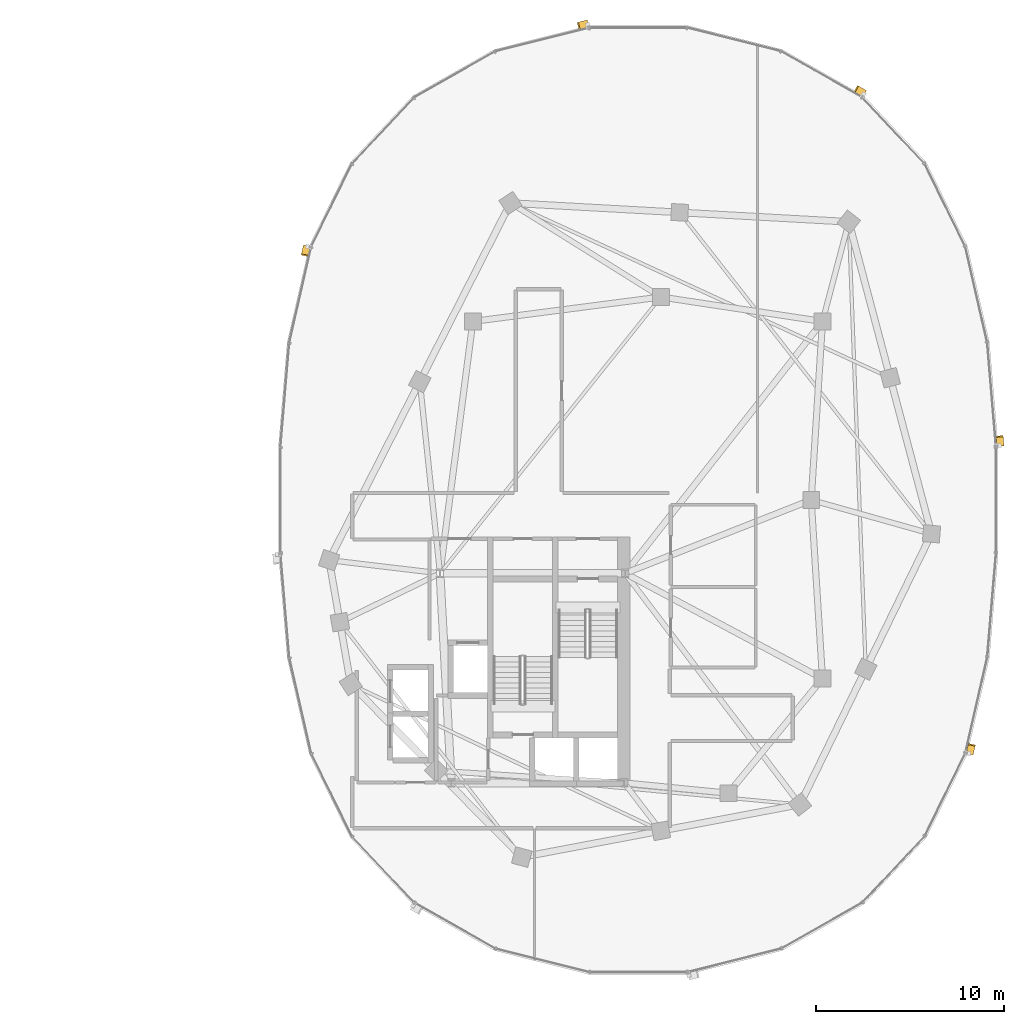
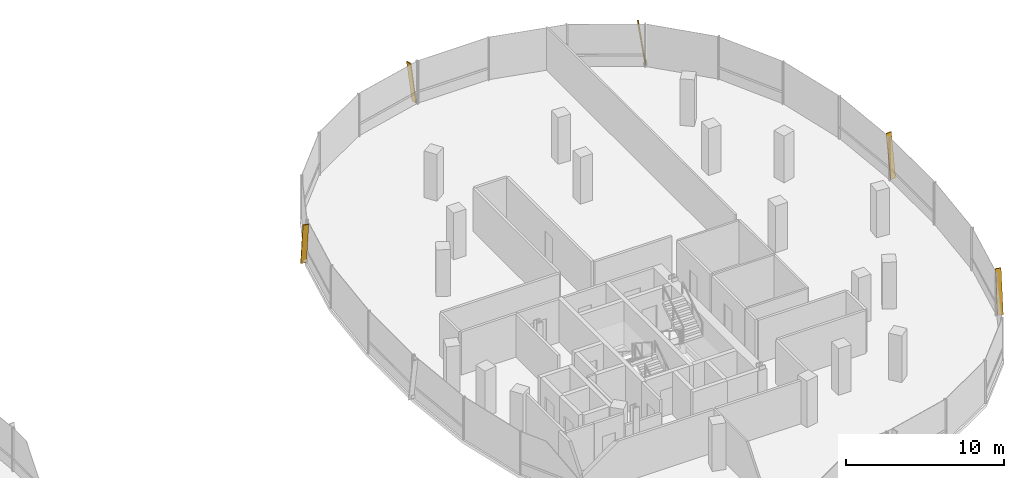
# One storey, part 24 of 24: 5 shading devices.
"""IFC4 building model written with IfcOpenShell, lengths in metres."""

from ifc_helpers import new_model, si_unit, direction, frame, origin, origin_2d, place, context, subcontext, project, spatial, rectangle, extrude, material, material_profile, profile_set, type_object, element, save


model = new_model("IFC4")

# Units and contexts
model_context = context("Model", 3, precision=1e-05, world=origin(), true_north=direction((0.0, 1.0)))
body_context = subcontext(model_context, "Body", "Model", "MODEL_VIEW")
ifc_project = project(units=[si_unit("LENGTHUNIT", "METRE"), si_unit("AREAUNIT", "SQUARE_METRE"), si_unit("VOLUMEUNIT", "CUBIC_METRE"), si_unit("PLANEANGLEUNIT", "RADIAN"), si_unit("MASSUNIT", "GRAM", prefix="KILO"), si_unit("THERMODYNAMICTEMPERATUREUNIT", "KELVIN"), si_unit("POWERUNIT", "WATT")], contexts=[model_context])

# Site, building, storey
site_placement = place(None, origin())
site = spatial("IfcSite", under=ifc_project, at=site_placement, CompositionType="ELEMENT")
building_placement = place(site_placement, origin())
building = spatial("IfcBuilding", under=site, at=building_placement, Name="Cundina Bronze Exchange", CompositionType="ELEMENT")
storey_placement = place(building_placement, frame((0.0, 0.0, 231.39990234375)))
storey = spatial("IfcBuildingStorey", under=building, at=storey_placement, Name="L61", CompositionType="ELEMENT", Elevation=231.39990234375)

# Shading devices
ifc_material = material(Name="Anodised Bronze Aluminium 6063-T6", Category="aluminium")
ifc_material_profile = material_profile(ifc_material, rectangle(XDim=0.070068359375, YDim=0.3798828125, at=origin_2d()), Name="FIN70X380", Category="aluminium")
ifc_profile_set = profile_set([ifc_material_profile], Name="Anodised Bronze Aluminium 6063-T6")
shading_device_type = type_object("IfcShadingDeviceType", Name="SHD-FIN-BRZ380", PredefinedType="USERDEFINED", material=ifc_profile_set)
for number, where, z_axis, x_axis, name in (
    (1, (51.264404296875, 2.90283203125, 0.02001953125), (-0.01207830578, 0.144276835504, 0.989463647269), (0.082545368101, -0.986014488469, 0.144781527598), "L61 Diagonal Bronze Solar Fin 1"),
    (2, (44.015625, 21.635498046875, 0.02001953125), (-0.125937624803, 0.071511949523, 0.989457303644), (0.860417819246, -0.488576434203, 0.144824874471), "L61 Diagonal Bronze Solar Fin 5"),
    (3, (29.294189453125, 25.344482421875, 0.02001953125), (-0.140446187226, -0.035350901871, 0.989457013837), (0.959528297059, 0.241517347975, 0.144826854449), "L61 Diagonal Bronze Solar Fin 1"),
    (4, (14.363037109375, 13.4931640625, 0.02001953125), (-0.03233129648, -0.14118244955, 0.989455508452), (0.220871384574, 0.964488483437, 0.14483713886), "L61 Diagonal Bronze Solar Fin 5"),
    (5, (49.636962890625, -13.4931640625, 0.02001953125), (0.03233129648, 0.14118244955, 0.989455508452), (-0.220871384574, -0.964488483437, 0.14483713886), "L61 Diagonal Bronze Solar Fin 5"),
):
    element("IfcShadingDevice", number, at=place(storey_placement, frame(where, z_axis=z_axis, x_axis=x_axis)), inside=storey, type_object=shading_device_type, Name=name, ObjectType="FIN", PredefinedType="USERDEFINED", context=body_context, shape_type="SweptSolid", body=[
        extrude(rectangle(XDim=0.070068359375, YDim=0.3798828125, at=origin_2d()), origin(), (0.0, 0.0, 1.0), 3.31494140625),
    ])

save(model, "model.ifc")
